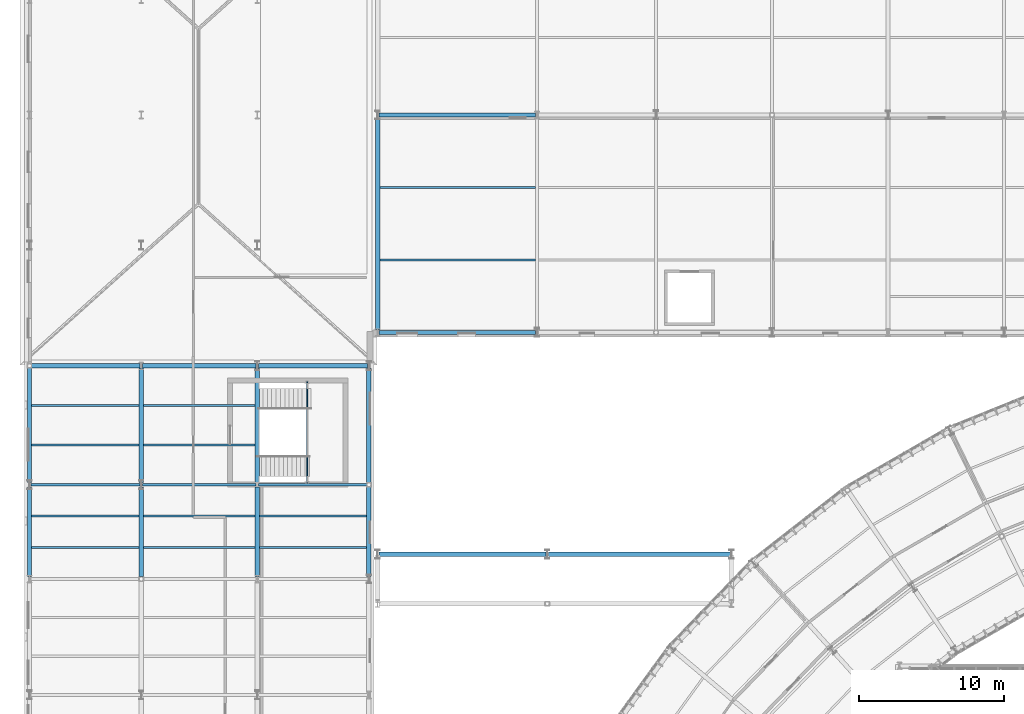
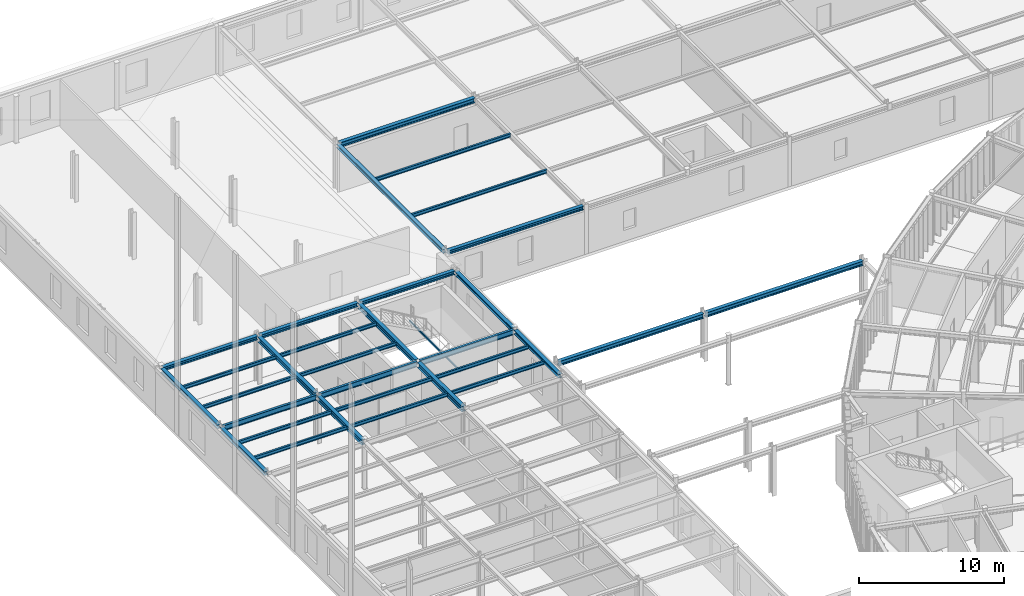
# One storey, part 84 of 148: 31 beams, 1 member.
"""IFC4 building model written with IfcOpenShell, lengths in metres."""

from ifc_helpers import new_model, si_unit, direction, frame, origin, origin_2d, place, context, subcontext, project, spatial, hollow_rectangle, i_section, extrude, material, material_profile, profile_set, type_object, element, save


model = new_model("IFC4")

# Units and contexts
model_context = context("Model", 3, precision=1e-05, world=origin(), true_north=direction((0.0, 1.0)))
body_context = subcontext(model_context, "Body", "Model", "MODEL_VIEW")
ifc_project = project(units=[si_unit("LENGTHUNIT", "METRE"), si_unit("AREAUNIT", "SQUARE_METRE"), si_unit("VOLUMEUNIT", "CUBIC_METRE"), si_unit("PLANEANGLEUNIT", "RADIAN"), si_unit("MASSUNIT", "GRAM", prefix="KILO"), si_unit("THERMODYNAMICTEMPERATUREUNIT", "KELVIN"), si_unit("POWERUNIT", "WATT")], contexts=[model_context])

# Site, building, storey
site_placement = place(None, origin())
site = spatial("IfcSite", under=ifc_project, at=site_placement, CompositionType="ELEMENT")
building_placement = place(site_placement, origin())
building = spatial("IfcBuilding", under=site, at=building_placement, Name="Solvatero Civic Police Headquarters", CompositionType="ELEMENT")
storey_placement = place(building_placement, frame((0.0, 0.0, 5.10009765625)))
storey = spatial("IfcBuildingStorey", under=building, at=storey_placement, Name="L01", CompositionType="ELEMENT", Elevation=5.10009765625)

# Beams
ifc_material = material(Name="Steel S355", Category="steel")
ifc_material_profile_1 = material_profile(ifc_material, i_section(OverallWidth=0.300048828125, OverallDepth=0.31005859375, WebThickness=0.009033203125, FlangeThickness=0.015380859375, FilletRadius=0.027099609375, at=origin_2d()), Name="HEA 320")
ifc_profile_set_1 = profile_set([ifc_material_profile_1], Name="Steel S355")
beam_type_1 = type_object("IfcBeamType", Name="BM-ST-HEA320", PredefinedType="SPANDREL", material=ifc_profile_set_1)
beam_1_placement = place(storey_placement, frame((4.89990234375, 83.199951171875, 3.824951171875), z_axis=(1.0, 0.0, 0.0), x_axis=(0.0, 1.0, 0.0)))
element("IfcBeam", 1, at=beam_1_placement, inside=storey, type_object=beam_type_1, Name="Perimeter / radial spandrel beam BM-R2-L01-V6-GX-1-6", PredefinedType="SPANDREL", context=body_context, shape_type="SweptSolid", body=[
    extrude(i_section(OverallWidth=0.300048828125, OverallDepth=0.31005859375, WebThickness=0.009033203125, FlangeThickness=0.015380859375, FilletRadius=0.027099609375, at=origin_2d()), origin(), (0.0, 0.0, 1.0), 7.5),
])
beam_2_placement = place(storey_placement, frame((12.60009765625, 83.199951171875, 3.824951171875), z_axis=(1.0, 0.0, 0.0), x_axis=(0.0, 1.0, 0.0)))
element("IfcBeam", 2, at=beam_2_placement, inside=storey, type_object=beam_type_1, Name="Perimeter / radial spandrel beam BM-R2-L01-V6-GX-2-6", PredefinedType="SPANDREL", context=body_context, shape_type="SweptSolid", body=[
    extrude(i_section(OverallWidth=0.300048828125, OverallDepth=0.31005859375, WebThickness=0.009033203125, FlangeThickness=0.015380859375, FilletRadius=0.027099609375, at=origin_2d()), origin(), (0.0, 0.0, 1.0), 7.7998046875),
])
beam_3_placement = place(storey_placement, frame((20.60009765625, 83.199951171875, 3.824951171875), z_axis=(1.0, 0.0, 0.0), x_axis=(0.0, 1.0, 0.0)))
element("IfcBeam", 3, at=beam_3_placement, inside=storey, type_object=beam_type_1, Name="Perimeter / radial spandrel beam BM-R2-L01-V6-GX-3-6", PredefinedType="SPANDREL", context=body_context, shape_type="SweptSolid", body=[
    extrude(i_section(OverallWidth=0.300048828125, OverallDepth=0.31005859375, WebThickness=0.009033203125, FlangeThickness=0.015380859375, FilletRadius=0.027099609375, at=origin_2d()), origin(), (0.0, 0.0, 1.0), 7.5),
])
beam_4_placement = place(storey_placement, frame((4.800048828125, 68.659912109375, 3.824951171875), z_axis=(0.0, 1.0, 0.0), x_axis=(-1.0, 0.0, 0.0)))
element("IfcBeam", 4, at=beam_4_placement, inside=storey, type_object=beam_type_1, Name="Perimeter / radial spandrel beam BM-R2-L01-V6-GY-1-4", PredefinedType="SPANDREL", context=body_context, shape_type="SweptSolid", body=[
    extrude(i_section(OverallWidth=0.300048828125, OverallDepth=0.31005859375, WebThickness=0.009033203125, FlangeThickness=0.015380859375, FilletRadius=0.027099609375, at=origin_2d()), origin(), (0.0, 0.0, 1.0), 6.18017578125),
])
beam_5_placement = place(storey_placement, frame((4.800048828125, 75.159912109375, 3.824951171875), z_axis=(0.0, 1.0, 0.0), x_axis=(-1.0, 0.0, 0.0)))
element("IfcBeam", 5, at=beam_5_placement, inside=storey, type_object=beam_type_1, Name="Perimeter / radial spandrel beam BM-R2-L01-V6-GY-1-5", PredefinedType="SPANDREL", context=body_context, shape_type="SweptSolid", body=[
    extrude(i_section(OverallWidth=0.300048828125, OverallDepth=0.31005859375, WebThickness=0.009033203125, FlangeThickness=0.015380859375, FilletRadius=0.027099609375, at=origin_2d()), origin(), (0.0, 0.0, 1.0), 7.880126953125),
])
beam_6_placement = place(storey_placement, frame((28.199951171875, 68.659912109375, 3.824951171875), z_axis=(0.0, 1.0, 0.0), x_axis=(-1.0, 0.0, 0.0)))
element("IfcBeam", 6, at=beam_6_placement, inside=storey, type_object=beam_type_1, Name="Perimeter / radial spandrel beam BM-R2-L01-V6-GY-4-4", PredefinedType="SPANDREL", context=body_context, shape_type="SweptSolid", body=[
    extrude(i_section(OverallWidth=0.300048828125, OverallDepth=0.31005859375, WebThickness=0.009033203125, FlangeThickness=0.015380859375, FilletRadius=0.027099609375, at=origin_2d()), origin(), (0.0, 0.0, 1.0), 6.18017578125),
])
beam_7_placement = place(storey_placement, frame((28.199951171875, 75.159912109375, 3.824951171875), z_axis=(0.0, 1.0, 0.0), x_axis=(-1.0, 0.0, 0.0)))
element("IfcBeam", 7, at=beam_7_placement, inside=storey, type_object=beam_type_1, Name="Perimeter / radial spandrel beam BM-R2-L01-V6-GY-4-5", PredefinedType="SPANDREL", context=body_context, shape_type="SweptSolid", body=[
    extrude(i_section(OverallWidth=0.300048828125, OverallDepth=0.31005859375, WebThickness=0.009033203125, FlangeThickness=0.015380859375, FilletRadius=0.027099609375, at=origin_2d()), origin(), (0.0, 0.0, 1.0), 7.880126953125),
])
beam_8_placement = place(storey_placement, frame((28.89990234375, 85.5, 3.824951171875), z_axis=(1.0, 0.0, 0.0), x_axis=(0.0, 1.0, 0.0)))
element("IfcBeam", 8, at=beam_8_placement, inside=storey, type_object=beam_type_1, Name="Perimeter / radial spandrel beam BM-R2-L01-V7W-GX-1-1", PredefinedType="SPANDREL", context=body_context, shape_type="SweptSolid", body=[
    extrude(i_section(OverallWidth=0.300048828125, OverallDepth=0.31005859375, WebThickness=0.009033203125, FlangeThickness=0.015380859375, FilletRadius=0.027099609375, at=origin_2d()), origin(), (0.0, 0.0, 1.0), 10.800048828125),
])
beam_9_placement = place(storey_placement, frame((28.800048828125, 85.659912109375, 3.824951171875), z_axis=(0.0, 1.0, 0.0), x_axis=(-1.0, 0.0, 0.0)))
element("IfcBeam", 9, at=beam_9_placement, inside=storey, type_object=beam_type_1, Name="Perimeter / radial spandrel beam BM-R2-L01-V7W-GY-1-1", PredefinedType="SPANDREL", context=body_context, shape_type="SweptSolid", body=[
    extrude(i_section(OverallWidth=0.300048828125, OverallDepth=0.31005859375, WebThickness=0.009033203125, FlangeThickness=0.015380859375, FilletRadius=0.027099609375, at=origin_2d()), origin(), (0.0, 0.0, 1.0), 14.68017578125),
])
ifc_material_profile_2 = material_profile(ifc_material, i_section(OverallWidth=0.300048828125, OverallDepth=0.389892578125, WebThickness=0.010986328125, FlangeThickness=0.01904296875, FilletRadius=0.027099609375, at=origin_2d()), Name="HEA 400")
ifc_profile_set_2 = profile_set([ifc_material_profile_2], Name="Steel S355")
beam_type_2 = type_object("IfcBeamType", Name="BM-ST-HEA400", PredefinedType="BEAM", material=ifc_profile_set_2)
beam_10_placement = place(storey_placement, frame((28.8798828125, 70.199951171875, 3.7548828125), z_axis=(1.0, 0.0, 0.0), x_axis=(0.0, 1.0, 0.0)))
element("IfcBeam", 10, at=beam_10_placement, inside=storey, type_object=beam_type_2, Name="Primary girder BM-R2-L01-SB2-N-1", PredefinedType="BEAM", context=body_context, shape_type="SweptSolid", body=[
    extrude(i_section(OverallWidth=0.300048828125, OverallDepth=0.389892578125, WebThickness=0.010986328125, FlangeThickness=0.01904296875, FilletRadius=0.027099609375, at=origin_2d()), origin(), (0.0, 0.0, 1.0), 11.5400390625),
])
beam_11_placement = place(storey_placement, frame((40.580078125, 70.199951171875, 3.7548828125), z_axis=(1.0, 0.0, 0.0), x_axis=(0.0, 1.0, 0.0)))
element("IfcBeam", 11, at=beam_11_placement, inside=storey, type_object=beam_type_2, Name="Primary girder BM-R2-L01-SB2-N-2", PredefinedType="BEAM", context=body_context, shape_type="SweptSolid", body=[
    extrude(i_section(OverallWidth=0.300048828125, OverallDepth=0.389892578125, WebThickness=0.010986328125, FlangeThickness=0.01904296875, FilletRadius=0.027099609375, at=origin_2d()), origin(), (0.0, 0.0, 1.0), 12.5400390625),
])
ifc_material_profile_3 = material_profile(ifc_material, i_section(OverallWidth=0.300048828125, OverallDepth=0.43994140625, WebThickness=0.011474609375, FlangeThickness=0.02099609375, FilletRadius=0.027099609375, at=origin_2d()), Name="HEA 450")
ifc_profile_set_3 = profile_set([ifc_material_profile_3], Name="Steel S355")
beam_type_3 = type_object("IfcBeamType", Name="BM-ST-HEA450", PredefinedType="BEAM", material=ifc_profile_set_3)
beam_12_placement = place(storey_placement, frame((12.5, 68.659912109375, 3.760009765625), z_axis=(0.0, 1.0, 0.0), x_axis=(-1.0, 0.0, 0.0)))
element("IfcBeam", 12, at=beam_12_placement, inside=storey, type_object=beam_type_3, Name="Primary girder BM-R2-L01-V6-GY-2-4", PredefinedType="BEAM", context=body_context, shape_type="SweptSolid", body=[
    extrude(i_section(OverallWidth=0.300048828125, OverallDepth=0.43994140625, WebThickness=0.011474609375, FlangeThickness=0.02099609375, FilletRadius=0.027099609375, at=origin_2d()), origin(), (0.0, 0.0, 1.0), 6.18017578125),
])
beam_13_placement = place(storey_placement, frame((12.5, 75.159912109375, 3.760009765625), z_axis=(0.0, 1.0, 0.0), x_axis=(-1.0, 0.0, 0.0)))
element("IfcBeam", 13, at=beam_13_placement, inside=storey, type_object=beam_type_3, Name="Primary girder BM-R2-L01-V6-GY-2-5", PredefinedType="BEAM", context=body_context, shape_type="SweptSolid", body=[
    extrude(i_section(OverallWidth=0.300048828125, OverallDepth=0.43994140625, WebThickness=0.011474609375, FlangeThickness=0.02099609375, FilletRadius=0.027099609375, at=origin_2d()), origin(), (0.0, 0.0, 1.0), 7.880126953125),
])
beam_14_placement = place(storey_placement, frame((20.5, 68.659912109375, 3.760009765625), z_axis=(0.0, 1.0, 0.0), x_axis=(-1.0, 0.0, 0.0)))
element("IfcBeam", 14, at=beam_14_placement, inside=storey, type_object=beam_type_3, Name="Primary girder BM-R2-L01-V6-GY-3-4", PredefinedType="BEAM", context=body_context, shape_type="SweptSolid", body=[
    extrude(i_section(OverallWidth=0.300048828125, OverallDepth=0.43994140625, WebThickness=0.011474609375, FlangeThickness=0.02099609375, FilletRadius=0.027099609375, at=origin_2d()), origin(), (0.0, 0.0, 1.0), 6.18017578125),
])
beam_15_placement = place(storey_placement, frame((20.5, 75.159912109375, 3.760009765625), z_axis=(0.0, 1.0, 0.0), x_axis=(-1.0, 0.0, 0.0)))
element("IfcBeam", 15, at=beam_15_placement, inside=storey, type_object=beam_type_3, Name="Primary girder BM-R2-L01-V6-GY-3-5", PredefinedType="BEAM", context=body_context, shape_type="SweptSolid", body=[
    extrude(i_section(OverallWidth=0.300048828125, OverallDepth=0.43994140625, WebThickness=0.011474609375, FlangeThickness=0.02099609375, FilletRadius=0.027099609375, at=origin_2d()), origin(), (0.0, 0.0, 1.0), 7.880126953125),
])
ifc_material_profile_4 = material_profile(ifc_material, i_section(OverallWidth=0.300048828125, OverallDepth=0.39990234375, WebThickness=0.013427734375, FlangeThickness=0.02392578125, FilletRadius=0.027099609375, at=origin_2d()), Name="HEB 400")
ifc_profile_set_4 = profile_set([ifc_material_profile_4], Name="Steel S355")
beam_type_4 = type_object("IfcBeamType", Name="BM-ST-HEB400", PredefinedType="BEAM", material=ifc_profile_set_4)
beam_16_placement = place(storey_placement, frame((28.89990234375, 100.5, 3.77978515625), z_axis=(1.0, 0.0, 0.0), x_axis=(0.0, 1.0, 0.0)))
element("IfcBeam", 16, at=beam_16_placement, inside=storey, type_object=beam_type_4, Name="Primary girder BM-R2-L01-V7W-GX-1-2", PredefinedType="BEAM", context=body_context, shape_type="SweptSolid", body=[
    extrude(i_section(OverallWidth=0.300048828125, OverallDepth=0.39990234375, WebThickness=0.013427734375, FlangeThickness=0.02392578125, FilletRadius=0.027099609375, at=origin_2d()), origin(), (0.0, 0.0, 1.0), 10.800048828125),
])
ifc_material_profile_5 = material_profile(ifc_material, i_section(OverallWidth=0.14990234375, OverallDepth=0.300048828125, WebThickness=0.007080078125, FlangeThickness=0.0107421875, FilletRadius=0.014892578125, at=origin_2d()), Name="IPE 300")
ifc_profile_set_5 = profile_set([ifc_material_profile_5], Name="Steel S355")
beam_type_5 = type_object("IfcBeamType", Name="BM-ST-IPE300", PredefinedType="BEAM", material=ifc_profile_set_5)
for number, where, z_axis, x_axis, name in (
    (17, (4.949951171875, 70.666748046875, 3.829833984375), (1.0, 0.0, 0.0), (0.0, 1.0, 0.0), "Composite floor beam BM-R2-L01-V6-SEC-1-4-S1"),
    (18, (4.949951171875, 72.833251953125, 3.829833984375), (1.0, 0.0, 0.0), (0.0, 1.0, 0.0), "Composite floor beam BM-R2-L01-V6-SEC-1-4-S2"),
    (19, (4.949951171875, 77.7333984375, 3.829833984375), (1.0, 0.0, 0.0), (0.0, 1.0, 0.0), "Composite floor beam BM-R2-L01-V6-SEC-1-5-S1"),
    (20, (4.949951171875, 80.466796875, 3.829833984375), (1.0, 0.0, 0.0), (0.0, 1.0, 0.0), "Composite floor beam BM-R2-L01-V6-SEC-1-5-S2"),
):
    element("IfcBeam", number, at=place(storey_placement, frame(where, z_axis=z_axis, x_axis=x_axis)), inside=storey, type_object=beam_type_5, Name=name, PredefinedType="BEAM", context=body_context, shape_type="SweptSolid", body=[
        extrude(i_section(OverallWidth=0.14990234375, OverallDepth=0.300048828125, WebThickness=0.007080078125, FlangeThickness=0.0107421875, FilletRadius=0.014892578125, at=origin_2d()), origin(), (0.0, 0.0, 1.0), 7.400146484375),
    ])
for number, where, z_axis, x_axis, name in (
    (21, (12.64990234375, 70.666748046875, 3.829833984375), (1.0, 0.0, 0.0), (0.0, 1.0, 0.0), "Composite floor beam BM-R2-L01-V6-SEC-2-4-S1"),
    (22, (12.64990234375, 72.833251953125, 3.829833984375), (1.0, 0.0, 0.0), (0.0, 1.0, 0.0), "Composite floor beam BM-R2-L01-V6-SEC-2-4-S2"),
    (23, (12.64990234375, 77.7333984375, 3.829833984375), (1.0, 0.0, 0.0), (0.0, 1.0, 0.0), "Composite floor beam BM-R2-L01-V6-SEC-2-5-S1"),
    (24, (12.64990234375, 80.466796875, 3.829833984375), (1.0, 0.0, 0.0), (0.0, 1.0, 0.0), "Composite floor beam BM-R2-L01-V6-SEC-2-5-S2"),
):
    element("IfcBeam", number, at=place(storey_placement, frame(where, z_axis=z_axis, x_axis=x_axis)), inside=storey, type_object=beam_type_5, Name=name, PredefinedType="BEAM", context=body_context, shape_type="SweptSolid", body=[
        extrude(i_section(OverallWidth=0.14990234375, OverallDepth=0.300048828125, WebThickness=0.007080078125, FlangeThickness=0.0107421875, FilletRadius=0.014892578125, at=origin_2d()), origin(), (0.0, 0.0, 1.0), 7.7001953125),
    ])
for number, where, z_axis, x_axis, name in (
    (25, (20.64990234375, 70.666748046875, 3.829833984375), (1.0, 0.0, 0.0), (0.0, 1.0, 0.0), "Composite floor beam BM-R2-L01-V6-SEC-3-4-S1"),
    (26, (20.64990234375, 72.833251953125, 3.829833984375), (1.0, 0.0, 0.0), (0.0, 1.0, 0.0), "Composite floor beam BM-R2-L01-V6-SEC-3-4-S2"),
):
    element("IfcBeam", number, at=place(storey_placement, frame(where, z_axis=z_axis, x_axis=x_axis)), inside=storey, type_object=beam_type_5, Name=name, PredefinedType="BEAM", context=body_context, shape_type="SweptSolid", body=[
        extrude(i_section(OverallWidth=0.14990234375, OverallDepth=0.300048828125, WebThickness=0.007080078125, FlangeThickness=0.0107421875, FilletRadius=0.014892578125, at=origin_2d()), origin(), (0.0, 0.0, 1.0), 7.400146484375),
    ])
for number, where, z_axis, x_axis, name in (
    (27, (28.949951171875, 90.5, 3.829833984375), (1.0, 0.0, 0.0), (0.0, 1.0, 0.0), "Composite floor beam BM-R2-L01-V7W-SEC-1-1-S1"),
    (28, (28.949951171875, 95.5, 3.829833984375), (1.0, 0.0, 0.0), (0.0, 1.0, 0.0), "Composite floor beam BM-R2-L01-V7W-SEC-1-1-S2"),
):
    element("IfcBeam", number, at=place(storey_placement, frame(where, z_axis=z_axis, x_axis=x_axis)), inside=storey, type_object=beam_type_5, Name=name, PredefinedType="BEAM", context=body_context, shape_type="SweptSolid", body=[
        extrude(i_section(OverallWidth=0.14990234375, OverallDepth=0.300048828125, WebThickness=0.007080078125, FlangeThickness=0.0107421875, FilletRadius=0.014892578125, at=origin_2d()), origin(), (0.0, 0.0, 1.0), 10.75),
    ])
ifc_material_profile_6 = material_profile(ifc_material, i_section(OverallWidth=0.18994140625, OverallDepth=0.449951171875, WebThickness=0.009521484375, FlangeThickness=0.0146484375, FilletRadius=0.02099609375, at=origin_2d()), Name="IPE 450")
ifc_profile_set_6 = profile_set([ifc_material_profile_6], Name="Steel S355")
beam_type_6 = type_object("IfcBeamType", Name="BM-ST-IPE450", PredefinedType="BEAM", material=ifc_profile_set_6)
beam_17_placement = place(storey_placement, frame((4.89990234375, 75.0, 3.7548828125), z_axis=(1.0, 0.0, 0.0), x_axis=(0.0, 1.0, 0.0)))
element("IfcBeam", 29, at=beam_17_placement, inside=storey, type_object=beam_type_6, Name="Primary girder BM-R2-L01-V6-GX-1-5", PredefinedType="BEAM", context=body_context, shape_type="SweptSolid", body=[
    extrude(i_section(OverallWidth=0.18994140625, OverallDepth=0.449951171875, WebThickness=0.009521484375, FlangeThickness=0.0146484375, FilletRadius=0.02099609375, at=origin_2d()), origin(), (0.0, 0.0, 1.0), 7.5),
])
beam_18_placement = place(storey_placement, frame((12.60009765625, 75.0, 3.7548828125), z_axis=(1.0, 0.0, 0.0), x_axis=(0.0, 1.0, 0.0)))
element("IfcBeam", 30, at=beam_18_placement, inside=storey, type_object=beam_type_6, Name="Primary girder BM-R2-L01-V6-GX-2-5", PredefinedType="BEAM", context=body_context, shape_type="SweptSolid", body=[
    extrude(i_section(OverallWidth=0.18994140625, OverallDepth=0.449951171875, WebThickness=0.009521484375, FlangeThickness=0.0146484375, FilletRadius=0.02099609375, at=origin_2d()), origin(), (0.0, 0.0, 1.0), 7.7998046875),
])
beam_19_placement = place(storey_placement, frame((20.60009765625, 75.0, 3.7548828125), z_axis=(1.0, 0.0, 0.0), x_axis=(0.0, 1.0, 0.0)))
element("IfcBeam", 31, at=beam_19_placement, inside=storey, type_object=beam_type_6, Name="Primary girder BM-R2-L01-V6-GX-3-5", PredefinedType="BEAM", context=body_context, shape_type="SweptSolid", body=[
    extrude(i_section(OverallWidth=0.18994140625, OverallDepth=0.449951171875, WebThickness=0.009521484375, FlangeThickness=0.0146484375, FilletRadius=0.02099609375, at=origin_2d()), origin(), (0.0, 0.0, 1.0), 7.5),
])

# Member
ifc_material_profile_7 = material_profile(ifc_material, hollow_rectangle(XDim=0.10009765625, YDim=0.14990234375, WallThickness=0.00634765625, InnerFilletRadius=0.00634765625, OuterFilletRadius=0.0126953125, at=origin_2d()), Name="RHS 150x100x6.3")
ifc_profile_set_7 = profile_set([ifc_material_profile_7], Name="Steel S355")
member_type = type_object("IfcMemberType", Name="MB-BR-RHS150", PredefinedType="BRACE", material=ifc_profile_set_7)
member_placement = place(storey_placement, frame((23.93994140625, 75.080078125, 1.824951171875), z_axis=(0.0, 1.0, 0.0), x_axis=(-1.0, 0.0, 0.0)))
element("IfcMember", 32, at=member_placement, inside=storey, type_object=member_type, Name="ST-C4 L01 Landing Support Beam", PredefinedType="BRACE", context=body_context, shape_type="SweptSolid", body=[
    extrude(hollow_rectangle(XDim=0.10009765625, YDim=0.14990234375, WallThickness=0.00634765625, InnerFilletRadius=0.00634765625, OuterFilletRadius=0.0126953125, at=origin_2d()), origin(), (0.0, 0.0, 1.0), 7.0400390625),
])

save(model, "model.ifc")
